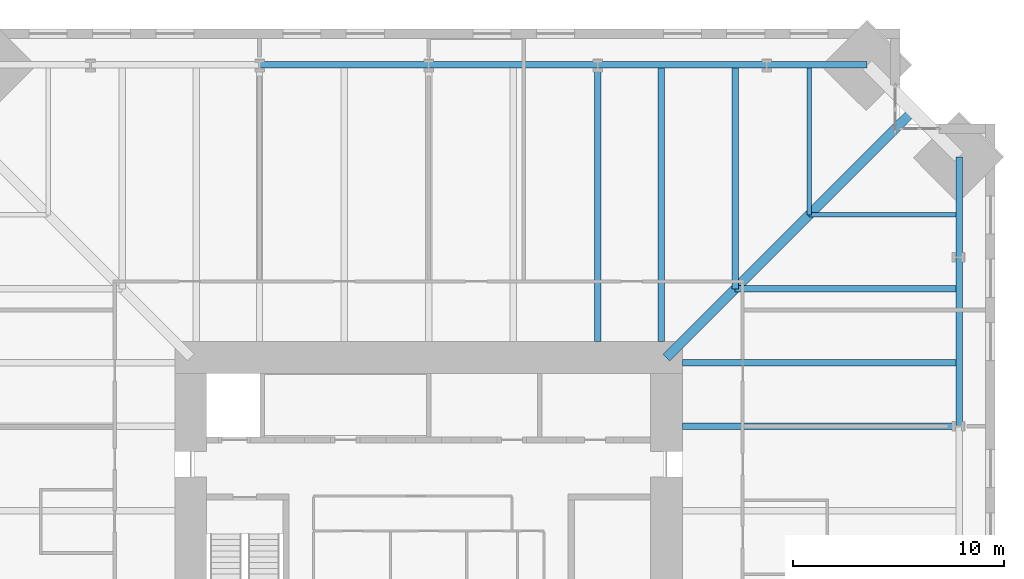
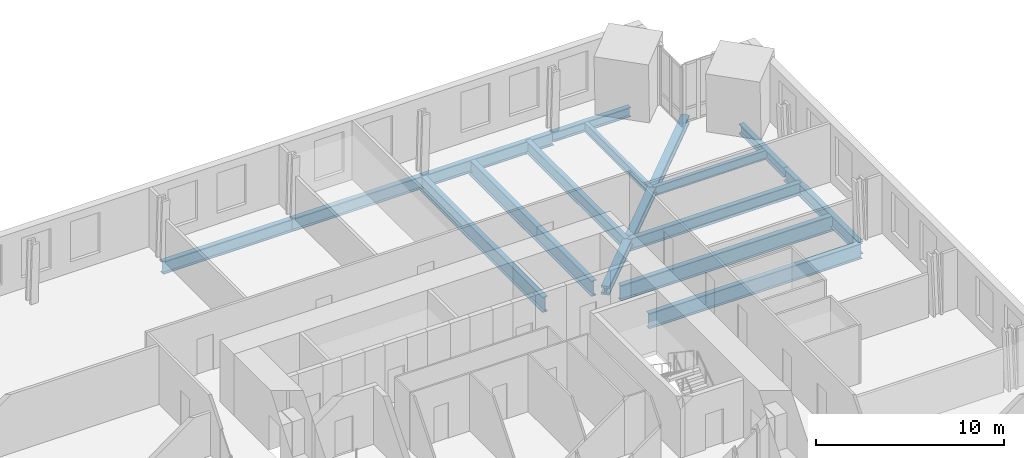
# One storey, part 7 of 17: 15 beams.
"""IFC4 building model written with IfcOpenShell, lengths in metres."""

from ifc_helpers import new_model, si_unit, direction, frame, origin, origin_2d, place, context, subcontext, project, spatial, i_section, extrude, material, material_profile, profile_set, type_object, element, save


model = new_model("IFC4")

# Units and contexts
model_context = context("Model", 3, precision=1e-05, world=origin(), true_north=direction((0.0, 1.0)))
body_context = subcontext(model_context, "Body", "Model", "MODEL_VIEW")
ifc_project = project(units=[si_unit("LENGTHUNIT", "METRE"), si_unit("AREAUNIT", "SQUARE_METRE"), si_unit("VOLUMEUNIT", "CUBIC_METRE"), si_unit("PLANEANGLEUNIT", "RADIAN"), si_unit("MASSUNIT", "GRAM", prefix="KILO")], contexts=[model_context])

# Site, building, storey
site_placement = place(None, origin())
site = spatial("IfcSite", under=ifc_project, at=site_placement, CompositionType="ELEMENT")
building_placement = place(site_placement, origin())
building = spatial("IfcBuilding", under=site, at=building_placement, Name="Peilmerk Tower", CompositionType="ELEMENT")
storey_placement = place(building_placement, frame((0.0, 0.0, 143.800048828125)))
storey = spatial("IfcBuildingStorey", under=building, at=storey_placement, Name="L29", CompositionType="ELEMENT", Elevation=143.800048828125)

# Beams
ifc_material_1 = material(Name="Steel S355", Category="steel")
ifc_material_profile_1 = material_profile(ifc_material_1, i_section(OverallWidth=0.219970703125, OverallDepth=0.60009765625, WebThickness=0.011962890625, FlangeThickness=0.01904296875, at=origin_2d()), Name="IPE 600")
ifc_profile_set_1 = profile_set([ifc_material_profile_1], Name="Steel S355")
beam_type_1 = type_object("IfcBeamType", Name="B10 IPE 600 floor beam", PredefinedType="BEAM", material=ifc_profile_set_1)
for number, where, z_axis, x_axis, name in (
    (1, (18.0, 18.0, -0.469970703125), (0.0, 1.0, 0.0), (-1.0, 0.0, 0.0), "Floor beam L29"),
    (2, (18.0, 18.0, -0.469970703125), (1.0, 0.0, 0.0), (0.0, 1.0, 0.0), "Floor beam L29"),
):
    element("IfcBeam", number, at=place(storey_placement, frame(where, z_axis=z_axis, x_axis=x_axis)), inside=storey, type_object=beam_type_1, Name=name, PredefinedType="BEAM", context=body_context, shape_type="SweptSolid", body=[
        extrude(i_section(OverallWidth=0.219970703125, OverallDepth=0.60009765625, WebThickness=0.011962890625, FlangeThickness=0.01904296875, at=origin_2d()), origin(), (0.0, 0.0, 1.0), 7.098388671875),
    ])
ifc_material_profile_2 = material_profile(ifc_material_1, i_section(OverallWidth=0.302978515625, OverallDepth=0.81396484375, WebThickness=0.02099609375, FlangeThickness=0.0400390625, at=origin_2d()), Name="HEM 800")
ifc_profile_set_2 = profile_set([ifc_material_profile_2], Name="Steel S355")
beam_type_2 = type_object("IfcBeamType", Name="B15 HEM 800 edge beam", PredefinedType="SPANDREL", material=ifc_profile_set_2)
for number, where, z_axis, x_axis, name in (
    (3, (16.0, 25.098388671875, -0.5771484375), (-1.0, 0.0, 0.0), (0.0, -1.0, 0.0), "Edge beam L29"),
    (4, (8.0, 25.098388671875, -0.5771484375), (-1.0, 0.0, 0.0), (0.0, -1.0, 0.0), "Edge beam L29"),
    (5, (0.0, 25.098388671875, -0.5771484375), (-1.0, 0.0, 0.0), (0.0, -1.0, 0.0), "Edge beam L29"),
    (6, (25.098388671875, 8.0, -0.5771484375), (0.0, 1.0, 0.0), (-1.0, 0.0, 0.0), "Edge beam L29"),
):
    element("IfcBeam", number, at=place(storey_placement, frame(where, z_axis=z_axis, x_axis=x_axis)), inside=storey, type_object=beam_type_2, Name=name, PredefinedType="SPANDREL", context=body_context, shape_type="SweptSolid", body=[
        extrude(i_section(OverallWidth=0.302978515625, OverallDepth=0.81396484375, WebThickness=0.02099609375, FlangeThickness=0.0400390625, at=origin_2d()), origin(), (0.0, 0.0, 1.0), 8.0),
    ])
ifc_material_profile_3 = material_profile(ifc_material_1, i_section(OverallWidth=0.300048828125, OverallDepth=0.7900390625, WebThickness=0.014892578125, FlangeThickness=0.028076171875, at=origin_2d()), Name="HEA 800")
ifc_profile_set_3 = profile_set([ifc_material_profile_3], Name="Steel S355")
beam_type_3 = type_object("IfcBeamType", Name="B3 HEA 800 floor beam", PredefinedType="BEAM", material=ifc_profile_set_3)
for number, where, z_axis, x_axis, name in (
    (7, (14.5, 14.5, -0.56494140625), (0.0, 1.0, 0.0), (-1.0, 0.0, 0.0), "Floor beam L29"),
    (8, (14.5, 14.5, -0.56494140625), (1.0, 0.0, 0.0), (0.0, 1.0, 0.0), "Floor beam L29"),
):
    element("IfcBeam", number, at=place(storey_placement, frame(where, z_axis=z_axis, x_axis=x_axis)), inside=storey, type_object=beam_type_3, Name=name, PredefinedType="BEAM", context=body_context, shape_type="SweptSolid", body=[
        extrude(i_section(OverallWidth=0.300048828125, OverallDepth=0.7900390625, WebThickness=0.014892578125, FlangeThickness=0.028076171875, at=origin_2d()), origin(), (0.0, 0.0, 1.0), 10.598388671875),
    ])
ifc_material_profile_4 = material_profile(ifc_material_1, i_section(OverallWidth=0.304931640625, OverallDepth=0.6201171875, WebThickness=0.02099609375, FlangeThickness=0.0400390625, at=origin_2d()), Name="HEM 600")
ifc_profile_set_4 = profile_set([ifc_material_profile_4], Name="Steel S355")
beam_type_4 = type_object("IfcBeamType", Name="B31 HEM 600 edge beam", PredefinedType="SPANDREL", material=ifc_profile_set_4)
for number, where, z_axis, x_axis, name in (
    (9, (20.748291015625, 25.098388671875, -0.47998046875), (-1.0, 0.0, 0.0), (0.0, -1.0, 0.0), "Edge beam L29"),
    (10, (25.098388671875, 16.0, -0.47998046875), (0.0, 1.0, 0.0), (-1.0, 0.0, 0.0), "Edge beam L29"),
):
    element("IfcBeam", number, at=place(storey_placement, frame(where, z_axis=z_axis, x_axis=x_axis)), inside=storey, type_object=beam_type_4, Name=name, PredefinedType="SPANDREL", context=body_context, shape_type="SweptSolid", body=[
        extrude(i_section(OverallWidth=0.304931640625, OverallDepth=0.6201171875, WebThickness=0.02099609375, FlangeThickness=0.0400390625, at=origin_2d()), origin(), (0.0, 0.0, 1.0), 4.748291015625),
    ])
ifc_material_profile_5 = material_profile(ifc_material_1, i_section(OverallWidth=0.300048828125, OverallDepth=1.0, WebThickness=0.01904296875, FlangeThickness=0.035888671875, at=origin_2d()), Name="HEB 1000")
ifc_profile_set_5 = profile_set([ifc_material_profile_5], Name="Steel S355")
beam_type_5 = type_object("IfcBeamType", Name="B5 HEB 1000 floor girder", PredefinedType="BEAM", material=ifc_profile_set_5)
for number, where, z_axis, x_axis, name in (
    (11, (11.0, 12.0, -0.670166015625), (0.0, 1.0, 0.0), (-1.0, 0.0, 0.0), "Floor beam L29"),
    (12, (8.0, 12.0, -0.670166015625), (0.0, 1.0, 0.0), (-1.0, 0.0, 0.0), "Floor beam L29"),
    (13, (12.0, 8.0, -0.670166015625), (1.0, 0.0, 0.0), (0.0, 1.0, 0.0), "Floor beam L29"),
    (14, (12.0, 11.0, -0.670166015625), (1.0, 0.0, 0.0), (0.0, 1.0, 0.0), "Floor beam L29"),
):
    element("IfcBeam", number, at=place(storey_placement, frame(where, z_axis=z_axis, x_axis=x_axis)), inside=storey, type_object=beam_type_5, Name=name, PredefinedType="BEAM", context=body_context, shape_type="SweptSolid", body=[
        extrude(i_section(OverallWidth=0.300048828125, OverallDepth=1.0, WebThickness=0.01904296875, FlangeThickness=0.035888671875, at=origin_2d()), origin(), (0.0, 0.0, 1.0), 13.098388671875),
    ])
ifc_material_2 = material(Name="Steel S460", Category="steel")
ifc_material_profile_6 = material_profile(ifc_material_2, i_section(OverallWidth=0.4541015625, OverallDepth=0.569091796875, WebThickness=0.077880859375, FlangeThickness=0.125, at=origin_2d()), Name="HD 400x1086")
ifc_profile_set_6 = profile_set([ifc_material_profile_6], Name="Steel S460")
beam_type_6 = type_object("IfcBeamType", Name="B9 HD 400x1086 corner girder", PredefinedType="BEAM", material=ifc_profile_set_6)
beam_placement = place(storey_placement, frame((11.25, 11.25, -0.45458984375), z_axis=(0.707106781187, 0.707106781187, 0.0), x_axis=(-0.707106781187, 0.707106781187, 0.0)))
element("IfcBeam", 15, at=beam_placement, inside=storey, type_object=beam_type_6, Name="Corner girder L29", PredefinedType="BEAM", context=body_context, shape_type="SweptSolid", body=[
    extrude(i_section(OverallWidth=0.4541015625, OverallDepth=0.569091796875, WebThickness=0.077880859375, FlangeThickness=0.125, at=origin_2d()), origin(), (0.0, 0.0, 1.0), 16.508544921875),
])

save(model, "model.ifc")
